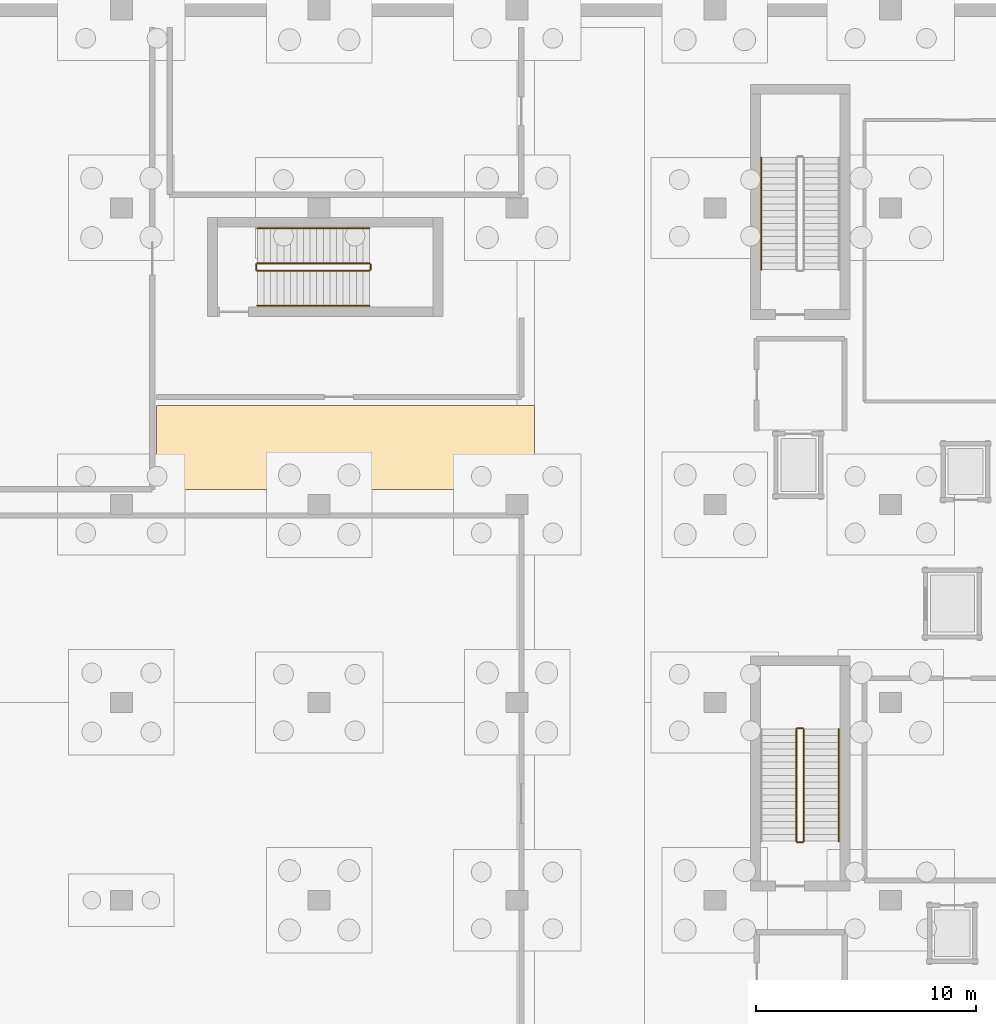
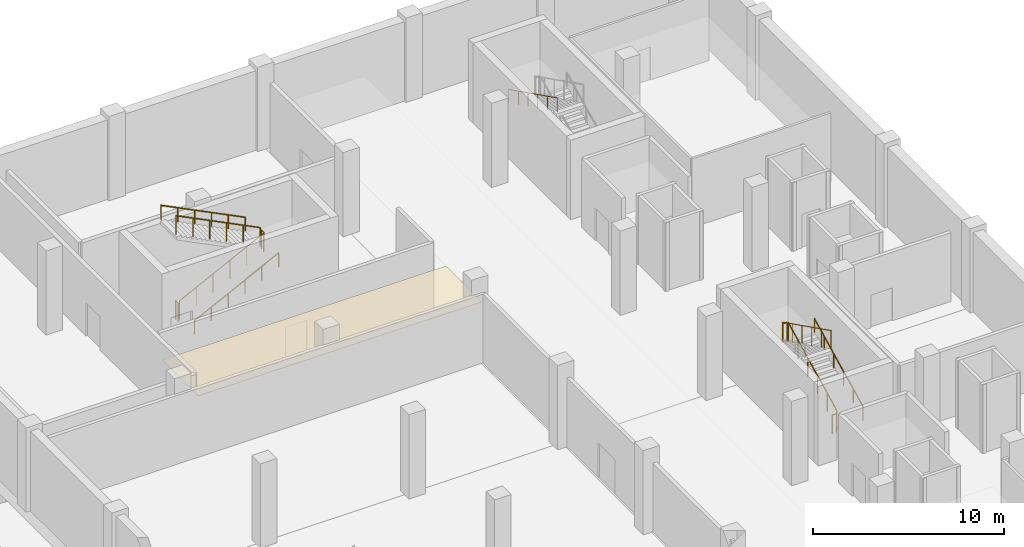
# One storey, part 24 of 26: 12 railings, 1 covering.
"""IFC4 building model written with IfcOpenShell, lengths in metres."""

import ifcopenshell
import ifcopenshell.guid

model = None  # the IFC model being written
_history = None  # IfcOwnerHistory: only IFC2X3 demands one
_inside = {}  # id of a spatial element -> (the spatial element, [elements in it])
_under = {}  # id of a project, library or spatial element -> (it, [spatial elements below it])
_declared = {}  # id of a project -> (the project, [libraries it declares])
_typed = {}  # id of a type object -> (the type object, [elements of that type])
_made_of = {}  # id of a material, layer set ... -> (it, [elements and type objects made of it])


def new_model(schema):
    """Start an empty IFC model of exactly this schema.

    Asked for "IFC4X3", IfcOpenShell would pick the latest addendum, in which some entities
    have other attributes; the version numbers below select the first issue.
    IFC2X3 requires an IfcOwnerHistory on every rooted entity: one is made here for all.
    """
    global model, _history
    if schema == "IFC4X3":
        model = ifcopenshell.file(schema_version=(4, 3, 0, 0))
    else:
        model = ifcopenshell.file(schema=schema)
    _inside.clear()
    _under.clear()
    _declared.clear()
    _typed.clear()
    _made_of.clear()
    _history = None
    if model.schema == "IFC2X3":
        org = make("IfcOrganization", Name="unknown")
        user = make(
            "IfcPersonAndOrganization",
            ThePerson=make("IfcPerson", FamilyName="unknown"),
            TheOrganization=org,
        )
        app = make(
            "IfcApplication",
            ApplicationDeveloper=org,
            Version="unknown",
            ApplicationFullName="unknown",
            ApplicationIdentifier="unknown",
        )
        _history = make(
            "IfcOwnerHistory",
            OwningUser=user,
            OwningApplication=app,
            ChangeAction="ADDED",
            CreationDate=0,
        )
    return model


def make(cls, **values):
    """One entity of the class cls with the attributes given. An attribute that is None is left unset."""
    return model.create_entity(
        cls, **{name: value for name, value in values.items() if value is not None}
    )


def rooted(cls, **values):
    """An entity with a GlobalId (a new one), such as an element, a storey or a relation."""
    return make(cls, GlobalId=ifcopenshell.guid.new(), OwnerHistory=_history, **values)


def si_unit(unit_type, name, prefix=None):
    """IfcSIUnit, for example si_unit("LENGTHUNIT", "METRE", prefix="MILLI")."""
    return make("IfcSIUnit", UnitType=unit_type, Prefix=prefix, Name=name)


def assignment(units):
    """IfcUnitAssignment: the units of a project."""
    return None if units is None else make("IfcUnitAssignment", Units=units)


def point(xyz):
    """IfcCartesianPoint."""
    return None if xyz is None else make("IfcCartesianPoint", Coordinates=xyz)


def direction(xyz):
    """IfcDirection."""
    return None if xyz is None else make("IfcDirection", DirectionRatios=xyz)


def frame(location, z_axis=None, x_axis=None):
    """IfcAxis2Placement3D, a coordinate frame: its origin and axes. An axis left out is left unset."""
    return make(
        "IfcAxis2Placement3D",
        Location=point(location),
        Axis=direction(z_axis),
        RefDirection=direction(x_axis),
    )


def frame_2d(location, x_axis=None):
    """IfcAxis2Placement2D, a coordinate frame in the plane: its origin and x axis."""
    return make(
        "IfcAxis2Placement2D", Location=point(location), RefDirection=direction(x_axis)
    )


def origin():
    """The frame at (0, 0, 0) with its axes left unset."""
    return frame((0.0, 0.0, 0.0))


def origin_2d():
    """The frame at (0, 0) in the plane with its x axis left unset."""
    return frame_2d((0.0, 0.0))


def place(relative_to, where):
    """IfcLocalPlacement: puts the frame where relative to a parent placement (None: the world)."""
    return make(
        "IfcLocalPlacement", PlacementRelTo=relative_to, RelativePlacement=where
    )


def context(
    kind, dimensions, precision=None, world=None, true_north=None, identifier=None
):
    """IfcGeometricRepresentationContext, for example the 3D "Model" context."""
    return make(
        "IfcGeometricRepresentationContext",
        ContextIdentifier=identifier,
        ContextType=kind,
        CoordinateSpaceDimension=dimensions,
        Precision=precision,
        WorldCoordinateSystem=world,
        TrueNorth=true_north,
    )


def subcontext(parent, identifier, kind, view, scale=None):
    """IfcGeometricRepresentationSubContext, for example "Body" below "Model"."""
    return make(
        "IfcGeometricRepresentationSubContext",
        ContextIdentifier=identifier,
        ContextType=kind,
        ParentContext=parent,
        TargetScale=scale,
        TargetView=view,
    )


def project(units=None, contexts=None):
    """IfcProject with its units and contexts."""
    return rooted(
        "IfcProject",
        Name="project",
        RepresentationContexts=contexts,
        UnitsInContext=assignment(units),
    )


def spatial(cls, under=None, at=None, **own):
    """A site, building, storey or space (cls), placed at a placement, below another one or the project."""
    s = rooted(cls, ObjectPlacement=at, **own)
    if under is not None:
        _under.setdefault(under.id(), (under, []))[1].append(s)
    return s


def polyline(points):
    """IfcPolyline through the points."""
    return make("IfcPolyline", Points=[point(p) for p in points])


def profile(cls, at=None, kind="AREA", **sizes):
    """A parametric profile (cls). Its sizes go by their IFC names, for example OverallWidth=200.0."""
    return make(cls, ProfileType=kind, Position=at, **sizes)


def circle(**sizes):
    """IfcCircleProfileDef."""
    return profile("IfcCircleProfileDef", **sizes)


def outline(outer, holes=None, kind="AREA"):
    """IfcArbitraryClosedProfileDef: a profile drawn as a closed curve; with holes, ...WithVoids."""
    if holes is None:
        return make("IfcArbitraryClosedProfileDef", ProfileType=kind, OuterCurve=outer)
    return make(
        "IfcArbitraryProfileDefWithVoids",
        ProfileType=kind,
        OuterCurve=outer,
        InnerCurves=holes,
    )


def extrude(swept, where, along, depth):
    """IfcExtrudedAreaSolid: the profile swept, set in the frame where, extruded along a direction by depth."""
    return make(
        "IfcExtrudedAreaSolid",
        SweptArea=swept,
        Position=where,
        ExtrudedDirection=direction(along),
        Depth=depth,
    )


def shape(context_of_items, identifier, shape_type, items):
    """IfcShapeRepresentation: the items that make up one representation, for example the "Body"."""
    return make(
        "IfcShapeRepresentation",
        ContextOfItems=context_of_items,
        RepresentationIdentifier=identifier,
        RepresentationType=shape_type,
        Items=items,
    )


def material(Name=None, Category=None):
    """IfcMaterial."""
    return make("IfcMaterial", Name=Name, Category=Category)


def layer(
    of_material, thickness, ventilated=None, Name=None, Category=None, Priority=None
):
    """IfcMaterialLayer: one layer of a wall or slab, of a material (None: an air gap)."""
    return make(
        "IfcMaterialLayer",
        Material=of_material,
        LayerThickness=thickness,
        IsVentilated=ventilated,
        Name=Name,
        Category=Category,
        Priority=Priority,
    )


def layer_set(layers, Name=None):
    """IfcMaterialLayerSet."""
    return make("IfcMaterialLayerSet", MaterialLayers=layers, LayerSetName=Name)


def made_of(thing, what):
    """Note that an element or type object is made of a material, layer set ...; save() writes the relation."""
    if what is not None:
        _made_of.setdefault(what.id(), (what, []))[1].append(thing)
    return thing


def type_object(cls, material=None, **own):
    """A type object (cls), such as IfcWallType, which elements share."""
    return made_of(rooted(cls, **own), material)


def element(
    cls,
    number,
    at=None,
    inside=None,
    cuts=None,
    type_object=None,
    material=None,
    context=None,
    identifier="Body",
    shape_type=None,
    held_by="IfcProductDefinitionShape",
    body=None,
    shapes=None,
    **own,
):
    """One element of the class cls, such as IfcWall. Its Tag is "e" and its number.

    at: its placement. inside: the storey or other place that contains it. cuts: it is an
    opening in that element (IfcRelVoidsElement). A single representation is given by context,
    identifier, shape_type and body (its items); several are given by shapes. held_by: the class
    of the entity that holds the representations. save() writes the other relations.
    """
    e = rooted(cls, Tag="e%d" % number, ObjectPlacement=at, **own)
    if body is not None:
        shapes = [shape(context, identifier, shape_type, body)]
    if shapes is not None:
        e.Representation = make(held_by, Representations=shapes)
    if inside is not None:
        _inside.setdefault(inside.id(), (inside, []))[1].append(e)
    if cuts is not None:
        rooted(
            "IfcRelVoidsElement", RelatingBuildingElement=cuts, RelatedOpeningElement=e
        )
    if type_object is not None:
        _typed.setdefault(type_object.id(), (type_object, []))[1].append(e)
    return made_of(e, material)


def aggregate(whole, parts):
    """IfcRelAggregates: a whole, such as a stair, and the parts it consists of."""
    return rooted("IfcRelAggregates", RelatingObject=whole, RelatedObjects=parts)


def save(model, path):
    """Write the relations noted so far, then the file.

    IfcRelAggregates (storeys below a building ...), IfcRelContainedInSpatialStructure (elements
    in a storey), IfcRelDefinesByType, IfcRelAssociatesMaterial and IfcRelDeclares: one each for
    every whole, place, type object, material and project.
    """
    for whole, parts in _under.values():
        aggregate(whole, parts)
    for where, things in _inside.values():
        rooted(
            "IfcRelContainedInSpatialStructure",
            RelatedElements=things,
            RelatingStructure=where,
        )
    for kind, things in _typed.values():
        rooted("IfcRelDefinesByType", RelatedObjects=things, RelatingType=kind)
    for what, things in _made_of.values():
        rooted("IfcRelAssociatesMaterial", RelatedObjects=things, RelatingMaterial=what)
    for by, libraries in _declared.values():
        rooted("IfcRelDeclares", RelatingContext=by, RelatedDefinitions=libraries)
    model.write(path)


model = new_model("IFC4")

# Units and contexts
model_context = context("Model", 3, precision=1e-05, world=origin(), true_north=direction((0.0, 1.0)))
body_context = subcontext(model_context, "Body", "Model", "MODEL_VIEW")
ifc_project = project(units=[si_unit("LENGTHUNIT", "METRE"), si_unit("AREAUNIT", "SQUARE_METRE"), si_unit("VOLUMEUNIT", "CUBIC_METRE"), si_unit("PLANEANGLEUNIT", "RADIAN"), si_unit("MASSUNIT", "GRAM", prefix="KILO")], contexts=[model_context])

# Site, building, storey
site_placement = place(None, origin())
site = spatial("IfcSite", under=ifc_project, at=site_placement, CompositionType="ELEMENT")
building_placement = place(site_placement, origin())
building = spatial("IfcBuilding", under=site, at=building_placement, Name="Chuanluo Vaults Station", CompositionType="ELEMENT")
storey_placement = place(building_placement, frame((0.0, 0.0, -5.39990234375)))
storey = spatial("IfcBuildingStorey", under=building, at=storey_placement, Name="B1", CompositionType="ELEMENT", Elevation=-5.39990234375)

# Covering
ifc_material_1 = material(Name="Acoustic mineral-fibre tile")
ifc_layer = layer(ifc_material_1, 0.02490234375)
ifc_layer_set = layer_set([ifc_layer], Name="Acoustic mineral-fibre tile")
covering_type = type_object("IfcCoveringType", Name="COV-CEIL-TILE", PredefinedType="CEILING", material=ifc_layer_set)
covering_placement = place(storey_placement, frame((0.0, 0.0, 2.849853515625)))
element("IfcCovering", 1, at=covering_placement, inside=storey, type_object=covering_type, Name="B1-11 suspended acoustic ceiling", PredefinedType="CEILING", context=body_context, shape_type="SweptSolid", body=[
    extrude(outline(polyline([(146.60009765625, 104.199951171875), (163.800048828125, 104.199951171875), (163.800048828125, 108.0), (146.60009765625, 108.0), (146.60009765625, 104.199951171875)])), origin(), (0.0, 0.0, 1.0), 0.025146484375),
])

# Railings
ifc_material_2 = material(Name="Tempered laminated balustrade glass", Category="glass")
railing_type_1 = type_object("IfcRailingType", Name="RLG-GUARD-1200", PredefinedType="BALUSTRADE", material=ifc_material_2)
railing_1_placement = place(storey_placement, frame((176.052490234375, 88.1875, 0.14990234375)))
element("IfcRailing", 2, at=railing_1_placement, inside=storey, type_object=railing_type_1, Name="B1 ST-01 stair guard 1", PredefinedType="BALUSTRADE", context=body_context, shape_type="SweptSolid", body=[
    extrude(circle(Radius=0.02392578125, at=origin_2d()), frame((0.0, 0.0, 1.17578125), z_axis=(0.0, 0.894427191, 0.4472135955), x_axis=(-1.0, 0.0, 0.0)), (0.0, 0.0, 1.0), 5.7021484375),
    extrude(circle(Radius=0.02099609375, at=origin_2d()), origin(), (0.0, 0.0, 1.0), 1.15185546875),
    extrude(circle(Radius=0.02099609375, at=origin_2d()), frame((0.0, 1.02001953125, 0.510009765625)), (0.0, 0.0, 1.0), 1.15185546875),
    extrude(circle(Radius=0.02099609375, at=origin_2d()), frame((0.0, 2.0400390625, 1.02001953125)), (0.0, 0.0, 1.0), 1.15185546875),
    extrude(circle(Radius=0.02099609375, at=origin_2d()), frame((0.0, 3.06005859375, 1.530029296875)), (0.0, 0.0, 1.0), 1.15185546875),
    extrude(circle(Radius=0.02099609375, at=origin_2d()), frame((0.0, 4.080078125, 2.0400390625)), (0.0, 0.0, 1.0), 1.15185546875),
    extrude(circle(Radius=0.02099609375, at=origin_2d()), frame((0.0, 5.10009765625, 2.550048828125)), (0.0, 0.0, 1.0), 1.15185546875),
])
railing_2_placement = place(storey_placement, frame((176.00244140625, 93.33740234375, 2.699951171875)))
element("IfcRailing", 3, at=railing_2_placement, inside=storey, type_object=railing_type_1, Name="B1 ST-01 stair guard 2", PredefinedType="BALUSTRADE", context=body_context, shape_type="SweptSolid", body=[
    extrude(circle(Radius=0.02392578125, at=origin_2d()), frame((0.0, 0.0, 1.17578125), z_axis=(-1.0, 0.0, 0.0), x_axis=(0.0, -1.0, 0.0)), (0.0, 0.0, 1.0), 0.25),
    extrude(circle(Radius=0.02099609375, at=origin_2d()), origin(), (0.0, 0.0, 1.0), 1.15185546875),
    extrude(circle(Radius=0.02099609375, at=origin_2d()), frame((-0.25, 0.0, 0.0)), (0.0, 0.0, 1.0), 1.15185546875),
])
railing_3_placement = place(storey_placement, frame((175.702392578125, 93.28759765625, 2.849853515625)))
element("IfcRailing", 4, at=railing_3_placement, inside=storey, type_object=railing_type_1, Name="B1 ST-01 stair guard 3", PredefinedType="BALUSTRADE", context=body_context, shape_type="SweptSolid", body=[
    extrude(circle(Radius=0.02392578125, at=origin_2d()), frame((0.0, 0.0, 1.17578125), z_axis=(0.0, -0.894427191, 0.4472135955), x_axis=(1.0, 0.0, 0.0)), (0.0, 0.0, 1.0), 5.7021484375),
    extrude(circle(Radius=0.02099609375, at=origin_2d()), origin(), (0.0, 0.0, 1.0), 1.15185546875),
    extrude(circle(Radius=0.02099609375, at=origin_2d()), frame((0.0, -1.02001953125, 0.510009765625)), (0.0, 0.0, 1.0), 1.15185546875),
    extrude(circle(Radius=0.02099609375, at=origin_2d()), frame((0.0, -2.0400390625, 1.02001953125)), (0.0, 0.0, 1.0), 1.15185546875),
    extrude(circle(Radius=0.02099609375, at=origin_2d()), frame((0.0, -3.06005859375, 1.530029296875)), (0.0, 0.0, 1.0), 1.15185546875),
    extrude(circle(Radius=0.02099609375, at=origin_2d()), frame((0.0, -4.080078125, 2.0400390625)), (0.0, 0.0, 1.0), 1.15185546875),
    extrude(circle(Radius=0.02099609375, at=origin_2d()), frame((0.0, -5.10009765625, 2.550048828125)), (0.0, 0.0, 1.0), 1.15185546875),
])
railing_4_placement = place(storey_placement, frame((176.00244140625, 88.137451171875, 0.0)))
element("IfcRailing", 5, at=railing_4_placement, inside=storey, type_object=railing_type_1, Name="B1 ST-01 stair guard 4", PredefinedType="BALUSTRADE", context=body_context, shape_type="SweptSolid", body=[
    extrude(circle(Radius=0.02392578125, at=origin_2d()), frame((0.0, 0.0, 1.17578125), z_axis=(-1.0, 0.0, 0.0), x_axis=(0.0, -1.0, 0.0)), (0.0, 0.0, 1.0), 0.25),
    extrude(circle(Radius=0.02099609375, at=origin_2d()), origin(), (0.0, 0.0, 1.0), 1.15185546875),
    extrude(circle(Radius=0.02099609375, at=origin_2d()), frame((-0.25, 0.0, 0.0)), (0.0, 0.0, 1.0), 1.15185546875),
])
railing_5_placement = place(storey_placement, frame((151.1875, 114.135009765625, 0.14990234375)))
element("IfcRailing", 6, at=railing_5_placement, inside=storey, type_object=railing_type_1, Name="B1 ST-03 stair guard 1", PredefinedType="BALUSTRADE", context=body_context, shape_type="SweptSolid", body=[
    extrude(circle(Radius=0.02392578125, at=origin_2d()), frame((0.0, 0.0, 1.17578125), z_axis=(0.894427191, 0.0, 0.4472135955), x_axis=(0.0, 1.0, 0.0)), (0.0, 0.0, 1.0), 5.7021484375),
    extrude(circle(Radius=0.02099609375, at=origin_2d()), origin(), (0.0, 0.0, 1.0), 1.15185546875),
    extrude(circle(Radius=0.02099609375, at=origin_2d()), frame((1.02001953125, 0.0, 0.510009765625)), (0.0, 0.0, 1.0), 1.15185546875),
    extrude(circle(Radius=0.02099609375, at=origin_2d()), frame((2.0400390625, 0.0, 1.02001953125)), (0.0, 0.0, 1.0), 1.15185546875),
    extrude(circle(Radius=0.02099609375, at=origin_2d()), frame((3.06005859375, 0.0, 1.530029296875)), (0.0, 0.0, 1.0), 1.15185546875),
    extrude(circle(Radius=0.02099609375, at=origin_2d()), frame((4.080078125, 0.0, 2.0400390625)), (0.0, 0.0, 1.0), 1.15185546875),
    extrude(circle(Radius=0.02099609375, at=origin_2d()), frame((5.10009765625, 0.0, 2.550048828125)), (0.0, 0.0, 1.0), 1.15185546875),
])
railing_6_placement = place(storey_placement, frame((156.33740234375, 114.18505859375, 2.699951171875)))
element("IfcRailing", 7, at=railing_6_placement, inside=storey, type_object=railing_type_1, Name="B1 ST-03 stair guard 2", PredefinedType="BALUSTRADE", context=body_context, shape_type="SweptSolid", body=[
    extrude(circle(Radius=0.02392578125, at=origin_2d()), frame((0.0, 0.0, 1.17578125), z_axis=(0.0, 1.0, 0.0), x_axis=(-1.0, 0.0, 0.0)), (0.0, 0.0, 1.0), 0.25),
    extrude(circle(Radius=0.02099609375, at=origin_2d()), origin(), (0.0, 0.0, 1.0), 1.15185546875),
    extrude(circle(Radius=0.02099609375, at=origin_2d()), frame((0.0, 0.25, 0.0)), (0.0, 0.0, 1.0), 1.15185546875),
])
railing_7_placement = place(storey_placement, frame((156.28759765625, 114.485107421875, 2.849853515625)))
element("IfcRailing", 8, at=railing_7_placement, inside=storey, type_object=railing_type_1, Name="B1 ST-03 stair guard 3", PredefinedType="BALUSTRADE", context=body_context, shape_type="SweptSolid", body=[
    extrude(circle(Radius=0.02392578125, at=origin_2d()), frame((0.0, 0.0, 1.17578125), z_axis=(-0.894427191, 0.0, 0.4472135955), x_axis=(0.0, -1.0, 0.0)), (0.0, 0.0, 1.0), 5.7021484375),
    extrude(circle(Radius=0.02099609375, at=origin_2d()), origin(), (0.0, 0.0, 1.0), 1.15185546875),
    extrude(circle(Radius=0.02099609375, at=origin_2d()), frame((-1.02001953125, 0.0, 0.510009765625)), (0.0, 0.0, 1.0), 1.15185546875),
    extrude(circle(Radius=0.02099609375, at=origin_2d()), frame((-2.0400390625, 0.0, 1.02001953125)), (0.0, 0.0, 1.0), 1.15185546875),
    extrude(circle(Radius=0.02099609375, at=origin_2d()), frame((-3.06005859375, 0.0, 1.530029296875)), (0.0, 0.0, 1.0), 1.15185546875),
    extrude(circle(Radius=0.02099609375, at=origin_2d()), frame((-4.080078125, 0.0, 2.0400390625)), (0.0, 0.0, 1.0), 1.15185546875),
    extrude(circle(Radius=0.02099609375, at=origin_2d()), frame((-5.10009765625, 0.0, 2.550048828125)), (0.0, 0.0, 1.0), 1.15185546875),
])
railing_8_placement = place(storey_placement, frame((151.137451171875, 114.18505859375, 0.0)))
element("IfcRailing", 9, at=railing_8_placement, inside=storey, type_object=railing_type_1, Name="B1 ST-03 stair guard 4", PredefinedType="BALUSTRADE", context=body_context, shape_type="SweptSolid", body=[
    extrude(circle(Radius=0.02392578125, at=origin_2d()), frame((0.0, 0.0, 1.17578125), z_axis=(0.0, 1.0, 0.0), x_axis=(-1.0, 0.0, 0.0)), (0.0, 0.0, 1.0), 0.25),
    extrude(circle(Radius=0.02099609375, at=origin_2d()), origin(), (0.0, 0.0, 1.0), 1.15185546875),
    extrude(circle(Radius=0.02099609375, at=origin_2d()), frame((0.0, 0.25, 0.0)), (0.0, 0.0, 1.0), 1.15185546875),
])
ifc_material_3 = material(Name="Brushed stainless steel 304", Category="steel")
railing_type_2 = type_object("IfcRailingType", Name="RLG-HAND-900", PredefinedType="HANDRAIL", material=ifc_material_3)
railing_9_placement = place(storey_placement, frame((177.637451171875, 88.1875, 0.14990234375)))
element("IfcRailing", 10, at=railing_9_placement, inside=storey, type_object=railing_type_2, Name="B1 ST-01 stair handrail 1", PredefinedType="HANDRAIL", context=body_context, shape_type="SweptSolid", body=[
    extrude(circle(Radius=0.02392578125, at=origin_2d()), frame((0.0, 0.0, 0.8759765625), z_axis=(0.0, 0.894427191, 0.4472135955), x_axis=(-1.0, 0.0, 0.0)), (0.0, 0.0, 1.0), 5.7021484375),
    extrude(circle(Radius=0.02099609375, at=origin_2d()), origin(), (0.0, 0.0, 1.0), 0.851806640625),
    extrude(circle(Radius=0.02099609375, at=origin_2d()), frame((0.0, 1.02001953125, 0.510009765625)), (0.0, 0.0, 1.0), 0.851806640625),
    extrude(circle(Radius=0.02099609375, at=origin_2d()), frame((0.0, 2.0400390625, 1.02001953125)), (0.0, 0.0, 1.0), 0.851806640625),
    extrude(circle(Radius=0.02099609375, at=origin_2d()), frame((0.0, 3.06005859375, 1.530029296875)), (0.0, 0.0, 1.0), 0.851806640625),
    extrude(circle(Radius=0.02099609375, at=origin_2d()), frame((0.0, 4.080078125, 2.0400390625)), (0.0, 0.0, 1.0), 0.851806640625),
    extrude(circle(Radius=0.02099609375, at=origin_2d()), frame((0.0, 5.10009765625, 2.550048828125)), (0.0, 0.0, 1.0), 0.851806640625),
])
railing_10_placement = place(storey_placement, frame((174.117431640625, 119.28759765625, 2.849853515625)))
element("IfcRailing", 11, at=railing_10_placement, inside=storey, type_object=railing_type_2, Name="B1 ST-02 stair handrail 2", PredefinedType="HANDRAIL", context=body_context, shape_type="SweptSolid", body=[
    extrude(circle(Radius=0.02392578125, at=origin_2d()), frame((0.0, 0.0, 0.8759765625), z_axis=(0.0, -0.894427191, 0.4472135955), x_axis=(1.0, 0.0, 0.0)), (0.0, 0.0, 1.0), 5.7021484375),
    extrude(circle(Radius=0.02099609375, at=origin_2d()), origin(), (0.0, 0.0, 1.0), 0.851806640625),
    extrude(circle(Radius=0.02099609375, at=origin_2d()), frame((0.0, -1.02001953125, 0.510009765625)), (0.0, 0.0, 1.0), 0.851806640625),
    extrude(circle(Radius=0.02099609375, at=origin_2d()), frame((0.0, -2.0400390625, 1.02001953125)), (0.0, 0.0, 1.0), 0.851806640625),
    extrude(circle(Radius=0.02099609375, at=origin_2d()), frame((0.0, -3.06005859375, 1.530029296875)), (0.0, 0.0, 1.0), 0.851806640625),
    extrude(circle(Radius=0.02099609375, at=origin_2d()), frame((0.0, -4.080078125, 2.0400390625)), (0.0, 0.0, 1.0), 0.851806640625),
    extrude(circle(Radius=0.02099609375, at=origin_2d()), frame((0.0, -5.10009765625, 2.550048828125)), (0.0, 0.0, 1.0), 0.851806640625),
])
railing_11_placement = place(storey_placement, frame((151.1875, 112.550048828125, 0.14990234375)))
element("IfcRailing", 12, at=railing_11_placement, inside=storey, type_object=railing_type_2, Name="B1 ST-03 stair handrail 1", PredefinedType="HANDRAIL", context=body_context, shape_type="SweptSolid", body=[
    extrude(circle(Radius=0.02392578125, at=origin_2d()), frame((0.0, 0.0, 0.8759765625), z_axis=(0.894427191, 0.0, 0.4472135955), x_axis=(0.0, 1.0, 0.0)), (0.0, 0.0, 1.0), 5.7021484375),
    extrude(circle(Radius=0.02099609375, at=origin_2d()), origin(), (0.0, 0.0, 1.0), 0.851806640625),
    extrude(circle(Radius=0.02099609375, at=origin_2d()), frame((1.02001953125, 0.0, 0.510009765625)), (0.0, 0.0, 1.0), 0.851806640625),
    extrude(circle(Radius=0.02099609375, at=origin_2d()), frame((2.0400390625, 0.0, 1.02001953125)), (0.0, 0.0, 1.0), 0.851806640625),
    extrude(circle(Radius=0.02099609375, at=origin_2d()), frame((3.06005859375, 0.0, 1.530029296875)), (0.0, 0.0, 1.0), 0.851806640625),
    extrude(circle(Radius=0.02099609375, at=origin_2d()), frame((4.080078125, 0.0, 2.0400390625)), (0.0, 0.0, 1.0), 0.851806640625),
    extrude(circle(Radius=0.02099609375, at=origin_2d()), frame((5.10009765625, 0.0, 2.550048828125)), (0.0, 0.0, 1.0), 0.851806640625),
])
railing_12_placement = place(storey_placement, frame((156.28759765625, 116.070068359375, 2.849853515625)))
element("IfcRailing", 13, at=railing_12_placement, inside=storey, type_object=railing_type_2, Name="B1 ST-03 stair handrail 2", PredefinedType="HANDRAIL", context=body_context, shape_type="SweptSolid", body=[
    extrude(circle(Radius=0.02392578125, at=origin_2d()), frame((0.0, 0.0, 0.8759765625), z_axis=(-0.894427191, 0.0, 0.4472135955), x_axis=(0.0, -1.0, 0.0)), (0.0, 0.0, 1.0), 5.7021484375),
    extrude(circle(Radius=0.02099609375, at=origin_2d()), origin(), (0.0, 0.0, 1.0), 0.851806640625),
    extrude(circle(Radius=0.02099609375, at=origin_2d()), frame((-1.02001953125, 0.0, 0.510009765625)), (0.0, 0.0, 1.0), 0.851806640625),
    extrude(circle(Radius=0.02099609375, at=origin_2d()), frame((-2.0400390625, 0.0, 1.02001953125)), (0.0, 0.0, 1.0), 0.851806640625),
    extrude(circle(Radius=0.02099609375, at=origin_2d()), frame((-3.06005859375, 0.0, 1.530029296875)), (0.0, 0.0, 1.0), 0.851806640625),
    extrude(circle(Radius=0.02099609375, at=origin_2d()), frame((-4.080078125, 0.0, 2.0400390625)), (0.0, 0.0, 1.0), 0.851806640625),
    extrude(circle(Radius=0.02099609375, at=origin_2d()), frame((-5.10009765625, 0.0, 2.550048828125)), (0.0, 0.0, 1.0), 0.851806640625),
])

save(model, "model.ifc")
